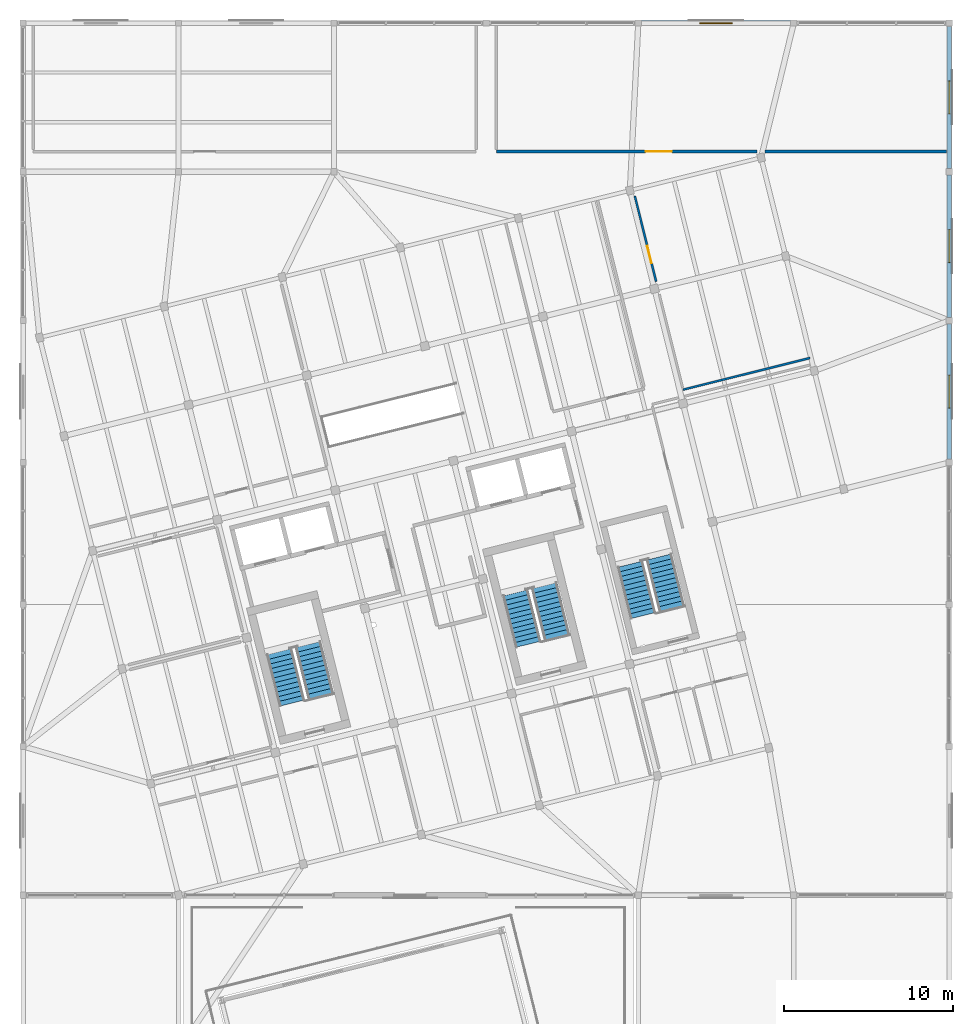
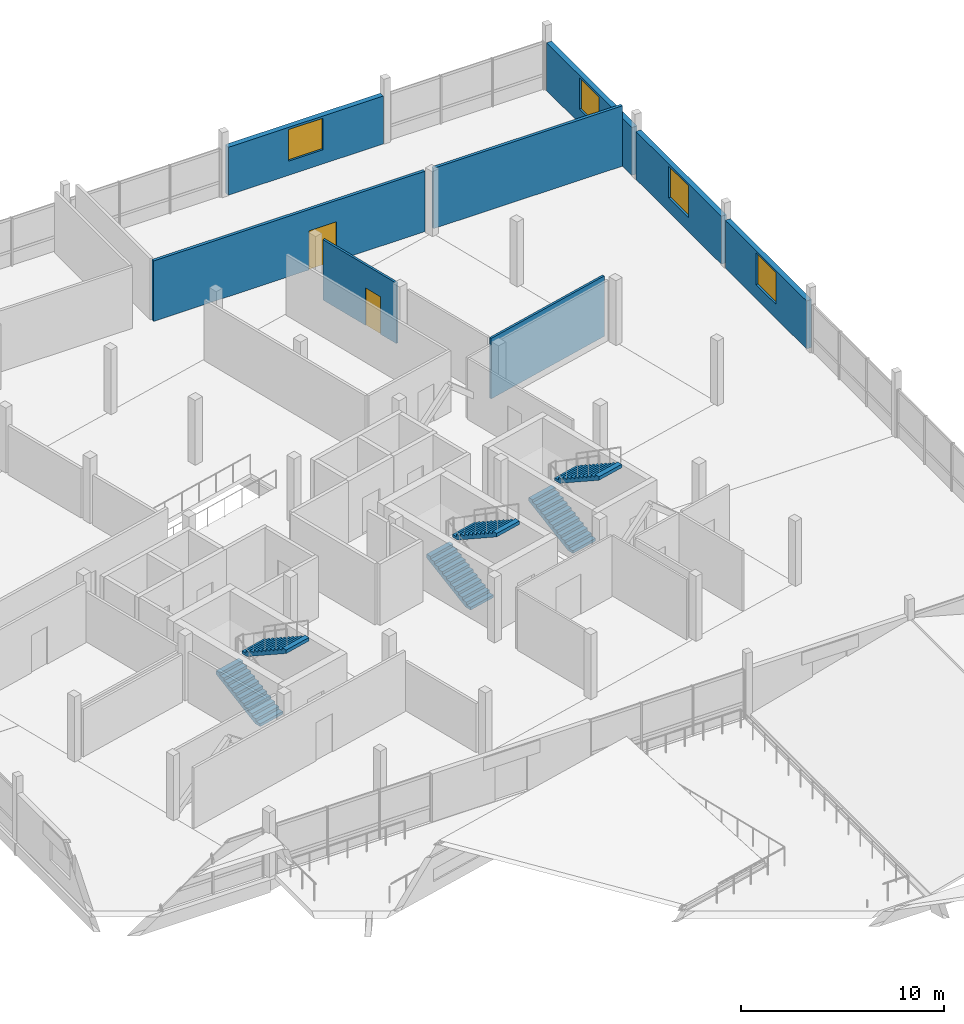
# One storey, part 36 of 39: 8 walls, 6 stair flights, 4 windows, 2 doors, 6 openings, 3 elements without a shape of their own.
"""IFC4 building model written with IfcOpenShell, lengths in metres."""

from ifc_helpers import new_model, si_unit, direction, frame, frame_2d, origin, place, context, subcontext, project, spatial, polyline, rectangle, outline, extrude, material, layer, layer_set, type_object, element, fill, aggregate, save


model = new_model("IFC4")

# Units and contexts
model_context = context("Model", 3, precision=1e-05, world=origin(), true_north=direction((0.0, 1.0)))
body_context = subcontext(model_context, "Body", "Model", "MODEL_VIEW")
ifc_project = project(units=[si_unit("LENGTHUNIT", "METRE"), si_unit("AREAUNIT", "SQUARE_METRE"), si_unit("VOLUMEUNIT", "CUBIC_METRE"), si_unit("PLANEANGLEUNIT", "RADIAN"), si_unit("MASSUNIT", "GRAM", prefix="KILO")], contexts=[model_context])

# Site, building, storey
site_placement = place(None, origin())
site = spatial("IfcSite", under=ifc_project, at=site_placement, CompositionType="ELEMENT")
building_placement = place(site_placement, origin())
building = spatial("IfcBuilding", under=site, at=building_placement, Name="Meriwether Solvik Hall", CompositionType="ELEMENT")
storey_placement = place(building_placement, frame((0.0, 0.0, 22.199951171875)))
storey = spatial("IfcBuildingStorey", under=building, at=storey_placement, Name="L05", CompositionType="ELEMENT", Elevation=22.199951171875)

# Wall, opening, door
ifc_material_1 = material(Name="Double-Layer Acoustic Gypsum Board", Category="gypsum")
ifc_layer_1 = layer(ifc_material_1, 0.1650390625)
ifc_layer_set_1 = layer_set([ifc_layer_1], Name="Double-Layer Acoustic Gypsum Board")
wall_type_1 = type_object("IfcWallType", Name="WALL-DEM-165", PredefinedType="PARTITIONING", material=ifc_layer_set_1)
wall_1_placement = place(storey_placement, frame((87.39990234375, 85.199951171875, 0.0), z_axis=(0.0, 0.0, 1.0), x_axis=(1.0, 0.0, 0.0)))
wall_1 = element("IfcWall", 1, at=wall_1_placement, inside=storey, type_object=wall_type_1, Name="L05 Interior Partition dat_n5b_s", PredefinedType="PARTITIONING", context=body_context, shape_type="SweptSolid", body=[
    extrude(rectangle(XDim=15.4228515625, YDim=0.1650390625, at=frame_2d((7.71142578125, 0.0))), origin(), (0.0, 0.0, 1.0), 3.630126953125),
])
opening_1_placement = place(wall_1_placement, frame((8.8408203125, 0.0, 0.0)))
opening_1 = element("IfcOpeningElement", 2, at=opening_1_placement, cuts=wall_1, Name="Opening D-169", PredefinedType="OPENING", context=body_context, shape_type="SweptSolid", body=[
    extrude(rectangle(XDim=1.550048828125, YDim=2.35009765625, at=frame_2d((0.77490234375, 1.175048828125))), frame((0.0, 0.094482421875, 0.0), z_axis=(0.0, -1.0, 0.0), x_axis=(1.0, 0.0, 0.0)), (0.0, 0.0, 1.0), 0.18896484375),
])
ifc_material_2 = material(Name="Laminated Vision Glass and Solid White Oak Timber", Category="wood")
door_type_1 = type_object("IfcDoorType", Name="DR-MKR-1550", OperationType="DOUBLE_DOOR_SINGLE_SWING", PredefinedType="DOOR", material=ifc_material_2)
door_1_placement = place(opening_1_placement, origin())
door_1 = element("IfcDoor", 3, at=door_1_placement, inside=storey, type_object=door_type_1, Name="Civic Data Workshop Door", OperationType="DOUBLE_DOOR_SINGLE_SWING", OverallHeight=2.35009765625, OverallWidth=1.550048828125, PredefinedType="DOOR", context=body_context, shape_type="SweptSolid", body=[
    extrude(rectangle(XDim=1.550048828125, YDim=2.35009765625, at=frame_2d((0.77490234375, 1.175048828125))), frame((0.0, 0.02490234375, 0.0), z_axis=(0.0, -1.0, 0.0), x_axis=(1.0, 0.0, 0.0)), (0.0, 0.0, 1.0), 0.050048828125),
])
fill(opening_1, door_1)

# Wall
wall_2_placement = place(storey_placement, frame((103.312744140625, 85.199951171875, 0.0), z_axis=(0.0, 0.0, 1.0), x_axis=(1.0, 0.0, 0.0)))
element("IfcWall", 4, at=wall_2_placement, inside=storey, type_object=wall_type_1, Name="L05 Interior Partition dat_n5b_s_s2", PredefinedType="PARTITIONING", context=body_context, shape_type="SweptSolid", body=[
    extrude(rectangle(XDim=10.7373046875, YDim=0.1650390625, at=frame_2d((5.36865234375, 0.0))), origin(), (0.0, 0.0, 1.0), 3.630126953125),
])

# Wall, opening, window
ifc_material_3 = material(Name="Cross-Laminated Timber and Mineral-Wool Insulation", Category="wood")
ifc_layer_2 = layer(ifc_material_3, 0.2900390625)
ifc_layer_set_2 = layer_set([ifc_layer_2], Name="Cross-Laminated Timber and Mineral-Wool Insulation")
wall_type_2 = type_object("IfcWallType", Name="WALL-EXT-290", PredefinedType="SOLIDWALL", material=ifc_layer_set_2)
wall_3_placement = place(storey_placement, frame((95.994384765625, 92.800048828125, 0.0), z_axis=(0.0, 0.0, 1.0), x_axis=(1.0, 0.0, 0.0)))
wall_3 = element("IfcWall", 5, at=wall_3_placement, inside=storey, type_object=wall_type_2, Name="L05 N Wing Facade Wall XK_11_10", PredefinedType="SOLIDWALL", context=body_context, shape_type="SweptSolid", body=[
    extrude(rectangle(XDim=8.81103515625, YDim=0.2900390625, at=frame_2d((4.405517578125, 0.0))), origin(), (0.0, 0.0, 1.0), 2.880126953125),
])
opening_2_placement = place(wall_3_placement, frame((3.430419921875, 0.0, 0.85009765625)))
opening_2 = element("IfcOpeningElement", 6, at=opening_2_placement, cuts=wall_3, Name="Opening WN-158", PredefinedType="OPENING", context=body_context, shape_type="SweptSolid", body=[
    extrude(rectangle(XDim=1.949951171875, YDim=1.89990234375, at=frame_2d((0.97509765625, 0.949951171875))), frame((0.0, 0.156982421875, 0.0), z_axis=(0.0, -1.0, 0.0), x_axis=(1.0, 0.0, 0.0)), (0.0, 0.0, 1.0), 0.31396484375),
])
ifc_material_4 = material(Name="Thermally Broken Anodised Aluminium and Triple Low-E Glass", Category="aluminium")
window_type = type_object("IfcWindowType", Name="WIN-TW-LOW-195X190", PartitioningType="SINGLE_PANEL", PredefinedType="WINDOW", material=ifc_material_4)
window_1_placement = place(opening_2_placement, origin())
window_1 = element("IfcWindow", 7, at=window_1_placement, inside=storey, type_object=window_type, Name="L05 N Window XK_11_10", OverallHeight=1.89990234375, OverallWidth=1.949951171875, PartitioningType="SINGLE_PANEL", PredefinedType="WINDOW", context=body_context, shape_type="SweptSolid", body=[
    extrude(rectangle(XDim=1.949951171875, YDim=1.89990234375, at=frame_2d((0.97509765625, 0.949951171875))), frame((0.0, 0.030029296875, 0.0), z_axis=(0.0, -1.0, 0.0), x_axis=(1.0, 0.0, 0.0)), (0.0, 0.0, 1.0), 0.06005859375),
])
fill(opening_2, window_1)

wall_4_placement = place(storey_placement, frame((114.199951171875, 75.005615234375, 0.0), z_axis=(0.0, 0.0, 1.0), x_axis=(0.0, -1.0, 0.0)))
wall_4 = element("IfcWall", 8, at=wall_4_placement, inside=storey, type_object=wall_type_2, Name="L05 E Wing Facade Wall Y13_8_21", PredefinedType="SOLIDWALL", context=body_context, shape_type="SweptSolid", body=[
    extrude(rectangle(XDim=8.01123046875, YDim=0.2900390625, at=frame_2d((4.005615234375, 0.0))), origin(), (0.0, 0.0, 1.0), 2.880126953125),
])
opening_3_placement = place(wall_4_placement, frame((3.030517578125, 0.0, 0.85009765625)))
opening_3 = element("IfcOpeningElement", 9, at=opening_3_placement, cuts=wall_4, Name="Opening WN-158", PredefinedType="OPENING", context=body_context, shape_type="SweptSolid", body=[
    extrude(rectangle(XDim=1.949951171875, YDim=1.89990234375, at=frame_2d((0.97509765625, 0.949951171875))), frame((0.0, 0.156982421875, 0.0), z_axis=(0.0, -1.0, 0.0), x_axis=(1.0, 0.0, 0.0)), (0.0, 0.0, 1.0), 0.31396484375),
])
window_2_placement = place(opening_3_placement, origin())
window_2 = element("IfcWindow", 10, at=window_2_placement, inside=storey, type_object=window_type, Name="L05 E Window Y13_8_21", OverallHeight=1.89990234375, OverallWidth=1.949951171875, PartitioningType="SINGLE_PANEL", PredefinedType="WINDOW", context=body_context, shape_type="SweptSolid", body=[
    extrude(rectangle(XDim=1.949951171875, YDim=1.89990234375, at=frame_2d((0.97509765625, 0.949951171875))), frame((0.0, 0.030029296875, 0.0), z_axis=(0.0, -1.0, 0.0), x_axis=(1.0, 0.0, 0.0)), (0.0, 0.0, 1.0), 0.06005859375),
])
fill(opening_3, window_2)

wall_5_placement = place(storey_placement, frame((114.199951171875, 83.805419921875, 0.0), z_axis=(0.0, 0.0, 1.0), x_axis=(0.0, -1.0, 0.0)))
wall_5 = element("IfcWall", 11, at=wall_5_placement, inside=storey, type_object=wall_type_2, Name="L05 E Wing Facade Wall Y13_9_22", PredefinedType="SOLIDWALL", context=body_context, shape_type="SweptSolid", body=[
    extrude(rectangle(XDim=8.410888671875, YDim=0.2900390625, at=frame_2d((4.20556640625, 0.0))), origin(), (0.0, 0.0, 1.0), 2.880126953125),
])
opening_4_placement = place(wall_5_placement, frame((3.23046875, 0.0, 0.85009765625)))
opening_4 = element("IfcOpeningElement", 12, at=opening_4_placement, cuts=wall_5, Name="Opening WN-158", PredefinedType="OPENING", context=body_context, shape_type="SweptSolid", body=[
    extrude(rectangle(XDim=1.949951171875, YDim=1.89990234375, at=frame_2d((0.97509765625, 0.949951171875))), frame((0.0, 0.156982421875, 0.0), z_axis=(0.0, -1.0, 0.0), x_axis=(1.0, 0.0, 0.0)), (0.0, 0.0, 1.0), 0.31396484375),
])
window_3_placement = place(opening_4_placement, origin())
window_3 = element("IfcWindow", 13, at=window_3_placement, inside=storey, type_object=window_type, Name="L05 E Window Y13_9_22", OverallHeight=1.89990234375, OverallWidth=1.949951171875, PartitioningType="SINGLE_PANEL", PredefinedType="WINDOW", context=body_context, shape_type="SweptSolid", body=[
    extrude(rectangle(XDim=1.949951171875, YDim=1.89990234375, at=frame_2d((0.97509765625, 0.949951171875))), frame((0.0, 0.030029296875, 0.0), z_axis=(0.0, -1.0, 0.0), x_axis=(1.0, 0.0, 0.0)), (0.0, 0.0, 1.0), 0.06005859375),
])
fill(opening_4, window_3)

wall_6_placement = place(storey_placement, frame((114.199951171875, 92.60546875, 0.0), z_axis=(0.0, 0.0, 1.0), x_axis=(0.0, -1.0, 0.0)))
wall_6 = element("IfcWall", 14, at=wall_6_placement, inside=storey, type_object=wall_type_2, Name="L05 E Wing Facade Wall Y13_10_23", PredefinedType="SOLIDWALL", context=body_context, shape_type="SweptSolid", body=[
    extrude(rectangle(XDim=8.410888671875, YDim=0.2900390625, at=frame_2d((4.20556640625, 0.0))), origin(), (0.0, 0.0, 1.0), 2.880126953125),
])
opening_5_placement = place(wall_6_placement, frame((3.23046875, 0.0, 0.85009765625)))
opening_5 = element("IfcOpeningElement", 15, at=opening_5_placement, cuts=wall_6, Name="Opening WN-158", PredefinedType="OPENING", context=body_context, shape_type="SweptSolid", body=[
    extrude(rectangle(XDim=1.949951171875, YDim=1.89990234375, at=frame_2d((0.97509765625, 0.949951171875))), frame((0.0, 0.156982421875, 0.0), z_axis=(0.0, -1.0, 0.0), x_axis=(1.0, 0.0, 0.0)), (0.0, 0.0, 1.0), 0.31396484375),
])
window_4_placement = place(opening_5_placement, origin())
window_4 = element("IfcWindow", 16, at=window_4_placement, inside=storey, type_object=window_type, Name="L05 E Window Y13_10_23", OverallHeight=1.89990234375, OverallWidth=1.949951171875, PartitioningType="SINGLE_PANEL", PredefinedType="WINDOW", context=body_context, shape_type="SweptSolid", body=[
    extrude(rectangle(XDim=1.949951171875, YDim=1.89990234375, at=frame_2d((0.97509765625, 0.949951171875))), frame((0.0, 0.030029296875, 0.0), z_axis=(0.0, -1.0, 0.0), x_axis=(1.0, 0.0, 0.0)), (0.0, 0.0, 1.0), 0.06005859375),
])
fill(opening_5, window_4)

# Wall
ifc_material_5 = material(Name="Gypsum Board Partition", Category="gypsum")
ifc_layer_3 = layer(ifc_material_5, 0.125)
ifc_layer_set_3 = layer_set([ifc_layer_3], Name="Gypsum Board Partition")
wall_type_3 = type_object("IfcWallType", Name="WALL-PART-125", PredefinedType="PARTITIONING", material=ifc_layer_set_3)
wall_7_placement = place(storey_placement, frame((98.450927734375, 71.110107421875, 0.0), z_axis=(0.0, 0.0, 1.0), x_axis=(0.970300010967, 0.241904709993, 0.0)))
element("IfcWall", 17, at=wall_7_placement, inside=storey, type_object=wall_type_3, Name="L05 Interior Partition off_e2_s", PredefinedType="PARTITIONING", context=body_context, shape_type="SweptSolid", body=[
    extrude(rectangle(XDim=7.739990234375, YDim=0.125, at=frame_2d((3.8701171875, 0.0))), origin(), (0.0, 0.0, 1.0), 3.630126953125),
])

# Wall, opening, door
wall_8_placement = place(storey_placement, frame((95.59375, 82.5693359375, 0.0), z_axis=(0.0, 0.0, 1.0), x_axis=(0.241919249358, -0.970296386054, 0.0)))
wall_8 = element("IfcWall", 18, at=wall_8_placement, inside=storey, type_object=wall_type_3, Name="L05 Interior Partition off_e2_w", PredefinedType="PARTITIONING", context=body_context, shape_type="SweptSolid", body=[
    extrude(rectangle(XDim=5.219482421875, YDim=0.125, at=frame_2d((2.60986328125, 0.0))), origin(), (0.0, 0.0, 1.0), 3.630126953125),
])
opening_6_placement = place(wall_8_placement, frame((3.04345703125, 0.0, 0.0)))
opening_6 = element("IfcOpeningElement", 19, at=opening_6_placement, cuts=wall_8, Name="Opening D-175", PredefinedType="OPENING", context=body_context, shape_type="SweptSolid", body=[
    extrude(rectangle(XDim=1.050048828125, YDim=2.25, at=frame_2d((0.52490234375, 1.125))), frame((0.0, 0.074462890625, 0.0), z_axis=(0.0, -1.0, 0.0), x_axis=(1.0, 0.0, 0.0)), (0.0, 0.0, 1.0), 0.14892578125),
])
ifc_material_6 = material(Name="Solid-Core Rift White Oak Timber", Category="wood")
door_type_2 = type_object("IfcDoorType", Name="DR-FEL-1050L", OperationType="SINGLE_SWING_LEFT", PredefinedType="DOOR", material=ifc_material_6)
door_2_placement = place(opening_6_placement, origin())
door_2 = element("IfcDoor", 20, at=door_2_placement, inside=storey, type_object=door_type_2, Name="L05 Student Services Suite Door", OperationType="SINGLE_SWING_LEFT", OverallHeight=2.25, OverallWidth=1.050048828125, PredefinedType="DOOR", context=body_context, shape_type="SweptSolid", body=[
    extrude(rectangle(XDim=1.050048828125, YDim=2.25, at=frame_2d((0.52490234375, 1.125))), frame((0.0, 0.02490234375, 0.0), z_axis=(0.0, -1.0, 0.0), x_axis=(1.0, 0.0, 0.0)), (0.0, 0.0, 1.0), 0.050048828125),
])
fill(opening_6, door_2)

# Stair, stair flights
ifc_material_7 = material(Name="Concrete C40/50", Category="concrete")
stair_type = type_object("IfcStairType", Name="STR-CORE-DOGLEG-A", PredefinedType="TWO_STRAIGHT_RUN_STAIR", material=ifc_material_7)
stair_1_placement = place(storey_placement, origin())
stair_1 = element("IfcStair", 21, at=stair_1_placement, inside=storey, type_object=stair_type, Name="Exit Stair ST-01 (L05)", PredefinedType="TWO_STRAIGHT_RUN_STAIR")
ifc_material_8 = material(Name="Concrete C40/50", Category="concrete")
stair_flight_type = type_object("IfcStairFlightType", Name="SFL-RC-156", PredefinedType="STRAIGHT", material=ifc_material_8)
stair_flight_1_placement = place(storey_placement, frame((75.310791015625, 52.56103515625, 0.0), z_axis=(0.0, 0.0, 1.0), x_axis=(-0.2419218956, 0.970295726276, 0.0)))
stair_flight_1 = element("IfcStairFlight", 22, at=stair_flight_1_placement, type_object=stair_flight_type, Name="Stair ST-01 Lower Flight (L05)", NumberOfRisers=12, NumberOfTreads=11, PredefinedType="STRAIGHT", RiserHeight=0.1625, TreadLength=0.285, context=body_context, shape_type="SweptSolid", body=[
    extrude(outline(polyline([(0.0, 0.0), (0.0, 0.16259765625), (0.284912109375, 0.16259765625), (0.284912109375, 0.324951171875), (0.570068359375, 0.324951171875), (0.570068359375, 0.487548828125), (0.85498046875, 0.487548828125), (0.85498046875, 0.64990234375), (1.139892578125, 0.64990234375), (1.139892578125, 0.8125), (1.425048828125, 0.8125), (1.425048828125, 0.97509765625), (1.7099609375, 0.97509765625), (1.7099609375, 1.137451171875), (1.9951171875, 1.137451171875), (1.9951171875, 1.300048828125), (2.280029296875, 1.300048828125), (2.280029296875, 1.46240234375), (2.56494140625, 1.46240234375), (2.56494140625, 1.625), (2.85009765625, 1.625), (2.85009765625, 1.78759765625), (3.135009765625, 1.78759765625), (3.135009765625, 1.949951171875), (3.135009765625, 1.580322265625), (0.36328125, 0.0), (0.0, 0.0)])), frame((0.0, 0.780029296875, 0.0), z_axis=(0.0, -1.0, 0.0), x_axis=(1.0, 0.0, 0.0)), (0.0, 0.0, 1.0), 1.56005859375),
])
stair_flight_2_placement = place(storey_placement, frame((76.279541015625, 56.033447265625, 1.949951171875), z_axis=(0.0, 0.0, 1.0), x_axis=(0.2419218956, -0.970295726276, 0.0)))
stair_flight_2 = element("IfcStairFlight", 23, at=stair_flight_2_placement, type_object=stair_flight_type, Name="Stair ST-01 Upper Flight (L05)", NumberOfRisers=12, NumberOfTreads=11, PredefinedType="STRAIGHT", RiserHeight=0.1625, TreadLength=0.285, context=body_context, shape_type="SweptSolid", body=[
    extrude(outline(polyline([(0.0, 0.0), (0.0, 0.16259765625), (0.284912109375, 0.16259765625), (0.284912109375, 0.324951171875), (0.570068359375, 0.324951171875), (0.570068359375, 0.487548828125), (0.85498046875, 0.487548828125), (0.85498046875, 0.64990234375), (1.139892578125, 0.64990234375), (1.139892578125, 0.8125), (1.425048828125, 0.8125), (1.425048828125, 0.97509765625), (1.7099609375, 0.97509765625), (1.7099609375, 1.137451171875), (1.9951171875, 1.137451171875), (1.9951171875, 1.300048828125), (2.280029296875, 1.300048828125), (2.280029296875, 1.46240234375), (2.56494140625, 1.46240234375), (2.56494140625, 1.625), (2.85009765625, 1.625), (2.85009765625, 1.78759765625), (3.135009765625, 1.78759765625), (3.135009765625, 1.949951171875), (3.135009765625, 1.580322265625), (0.36328125, 0.0), (0.0, 0.0)])), frame((0.0, 0.780029296875, 0.0), z_axis=(0.0, -1.0, 0.0), x_axis=(1.0, 0.0, 0.0)), (0.0, 0.0, 1.0), 1.56005859375),
])
aggregate(stair_1, [stair_flight_1, stair_flight_2])

stair_2_placement = place(storey_placement, origin())
stair_2 = element("IfcStair", 24, at=stair_2_placement, inside=storey, type_object=stair_type, Name="Exit Stair ST-02 (L05)", PredefinedType="TWO_STRAIGHT_RUN_STAIR")
stair_flight_3_placement = place(storey_placement, frame((89.283203125, 56.044677734375, 0.0), z_axis=(0.0, 0.0, 1.0), x_axis=(-0.2419218956, 0.970295726276, 0.0)))
stair_flight_3 = element("IfcStairFlight", 25, at=stair_flight_3_placement, type_object=stair_flight_type, Name="Stair ST-02 Lower Flight (L05)", NumberOfRisers=12, NumberOfTreads=11, PredefinedType="STRAIGHT", RiserHeight=0.1625, TreadLength=0.285, context=body_context, shape_type="SweptSolid", body=[
    extrude(outline(polyline([(0.0, 0.0), (0.0, 0.16259765625), (0.284912109375, 0.16259765625), (0.284912109375, 0.324951171875), (0.570068359375, 0.324951171875), (0.570068359375, 0.487548828125), (0.85498046875, 0.487548828125), (0.85498046875, 0.64990234375), (1.139892578125, 0.64990234375), (1.139892578125, 0.8125), (1.425048828125, 0.8125), (1.425048828125, 0.97509765625), (1.7099609375, 0.97509765625), (1.7099609375, 1.137451171875), (1.9951171875, 1.137451171875), (1.9951171875, 1.300048828125), (2.280029296875, 1.300048828125), (2.280029296875, 1.46240234375), (2.56494140625, 1.46240234375), (2.56494140625, 1.625), (2.85009765625, 1.625), (2.85009765625, 1.78759765625), (3.135009765625, 1.78759765625), (3.135009765625, 1.949951171875), (3.135009765625, 1.580322265625), (0.36328125, 0.0), (0.0, 0.0)])), frame((0.0, 0.780029296875, 0.0), z_axis=(0.0, -1.0, 0.0), x_axis=(1.0, 0.0, 0.0)), (0.0, 0.0, 1.0), 1.56005859375),
])
stair_flight_4_placement = place(storey_placement, frame((90.251953125, 59.51708984375, 1.949951171875), z_axis=(0.0, 0.0, 1.0), x_axis=(0.2419218956, -0.970295726276, 0.0)))
stair_flight_4 = element("IfcStairFlight", 26, at=stair_flight_4_placement, type_object=stair_flight_type, Name="Stair ST-02 Upper Flight (L05)", NumberOfRisers=12, NumberOfTreads=11, PredefinedType="STRAIGHT", RiserHeight=0.1625, TreadLength=0.285, context=body_context, shape_type="SweptSolid", body=[
    extrude(outline(polyline([(0.0, 0.0), (0.0, 0.16259765625), (0.284912109375, 0.16259765625), (0.284912109375, 0.324951171875), (0.570068359375, 0.324951171875), (0.570068359375, 0.487548828125), (0.85498046875, 0.487548828125), (0.85498046875, 0.64990234375), (1.139892578125, 0.64990234375), (1.139892578125, 0.8125), (1.425048828125, 0.8125), (1.425048828125, 0.97509765625), (1.7099609375, 0.97509765625), (1.7099609375, 1.137451171875), (1.9951171875, 1.137451171875), (1.9951171875, 1.300048828125), (2.280029296875, 1.300048828125), (2.280029296875, 1.46240234375), (2.56494140625, 1.46240234375), (2.56494140625, 1.625), (2.85009765625, 1.625), (2.85009765625, 1.78759765625), (3.135009765625, 1.78759765625), (3.135009765625, 1.949951171875), (3.135009765625, 1.580322265625), (0.36328125, 0.0), (0.0, 0.0)])), frame((0.0, 0.780029296875, 0.0), z_axis=(0.0, -1.0, 0.0), x_axis=(1.0, 0.0, 0.0)), (0.0, 0.0, 1.0), 1.56005859375),
])
aggregate(stair_2, [stair_flight_3, stair_flight_4])

stair_3_placement = place(storey_placement, origin())
stair_3 = element("IfcStair", 27, at=stair_3_placement, inside=storey, type_object=stair_type, Name="Exit Stair ST-03 (L05)", PredefinedType="TWO_STRAIGHT_RUN_STAIR")
stair_flight_5_placement = place(storey_placement, frame((96.0751953125, 57.738037109375, 0.0), z_axis=(0.0, 0.0, 1.0), x_axis=(-0.2419218956, 0.970295726276, 0.0)))
stair_flight_5 = element("IfcStairFlight", 28, at=stair_flight_5_placement, type_object=stair_flight_type, Name="Stair ST-03 Lower Flight (L05)", NumberOfRisers=12, NumberOfTreads=11, PredefinedType="STRAIGHT", RiserHeight=0.1625, TreadLength=0.285, context=body_context, shape_type="SweptSolid", body=[
    extrude(outline(polyline([(0.0, 0.0), (0.0, 0.16259765625), (0.284912109375, 0.16259765625), (0.284912109375, 0.324951171875), (0.570068359375, 0.324951171875), (0.570068359375, 0.487548828125), (0.85498046875, 0.487548828125), (0.85498046875, 0.64990234375), (1.139892578125, 0.64990234375), (1.139892578125, 0.8125), (1.425048828125, 0.8125), (1.425048828125, 0.97509765625), (1.7099609375, 0.97509765625), (1.7099609375, 1.137451171875), (1.9951171875, 1.137451171875), (1.9951171875, 1.300048828125), (2.280029296875, 1.300048828125), (2.280029296875, 1.46240234375), (2.56494140625, 1.46240234375), (2.56494140625, 1.625), (2.85009765625, 1.625), (2.85009765625, 1.78759765625), (3.135009765625, 1.78759765625), (3.135009765625, 1.949951171875), (3.135009765625, 1.580322265625), (0.36328125, 0.0), (0.0, 0.0)])), frame((0.0, 0.780029296875, 0.0), z_axis=(0.0, -1.0, 0.0), x_axis=(1.0, 0.0, 0.0)), (0.0, 0.0, 1.0), 1.56005859375),
])
stair_flight_6_placement = place(storey_placement, frame((97.0439453125, 61.210693359375, 1.949951171875), z_axis=(0.0, 0.0, 1.0), x_axis=(0.2419218956, -0.970295726276, 0.0)))
stair_flight_6 = element("IfcStairFlight", 29, at=stair_flight_6_placement, type_object=stair_flight_type, Name="Stair ST-03 Upper Flight (L05)", NumberOfRisers=12, NumberOfTreads=11, PredefinedType="STRAIGHT", RiserHeight=0.1625, TreadLength=0.285, context=body_context, shape_type="SweptSolid", body=[
    extrude(outline(polyline([(0.0, 0.0), (0.0, 0.16259765625), (0.284912109375, 0.16259765625), (0.284912109375, 0.324951171875), (0.570068359375, 0.324951171875), (0.570068359375, 0.487548828125), (0.85498046875, 0.487548828125), (0.85498046875, 0.64990234375), (1.139892578125, 0.64990234375), (1.139892578125, 0.8125), (1.425048828125, 0.8125), (1.425048828125, 0.97509765625), (1.7099609375, 0.97509765625), (1.7099609375, 1.137451171875), (1.9951171875, 1.137451171875), (1.9951171875, 1.300048828125), (2.280029296875, 1.300048828125), (2.280029296875, 1.46240234375), (2.56494140625, 1.46240234375), (2.56494140625, 1.625), (2.85009765625, 1.625), (2.85009765625, 1.78759765625), (3.135009765625, 1.78759765625), (3.135009765625, 1.949951171875), (3.135009765625, 1.580322265625), (0.36328125, 0.0), (0.0, 0.0)])), frame((0.0, 0.780029296875, 0.0), z_axis=(0.0, -1.0, 0.0), x_axis=(1.0, 0.0, 0.0)), (0.0, 0.0, 1.0), 1.56005859375),
])
aggregate(stair_3, [stair_flight_5, stair_flight_6])

save(model, "model.ifc")
